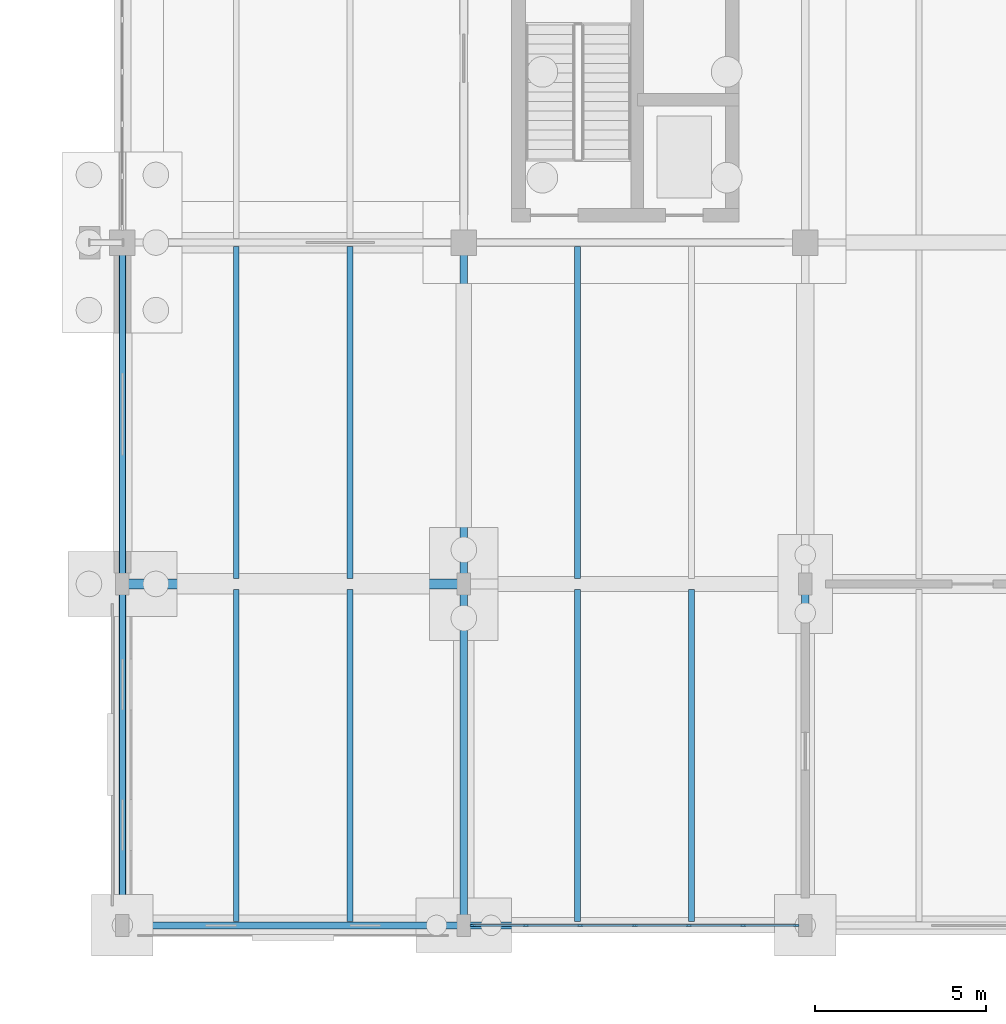
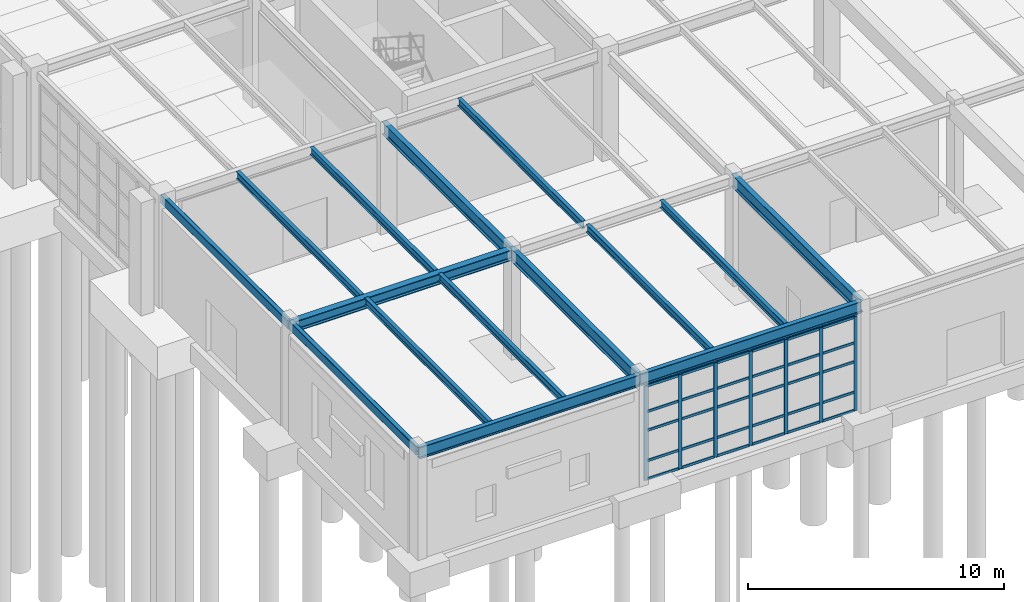
# One storey, part 31 of 145: 37 members, 15 beams, 1 element without a shape of its own.
"""IFC4 building model written with IfcOpenShell, lengths in metres."""

from ifc_helpers import new_model, si_unit, direction, frame, origin, origin_2d, place, context, subcontext, project, spatial, rectangle, hollow_rectangle, i_section, extrude, material, layer, layer_set, material_profile, profile_set, type_object, element, aggregate, save


model = new_model("IFC4")

# Units and contexts
model_context = context("Model", 3, precision=1e-05, world=origin(), true_north=direction((0.0, 1.0)))
body_context = subcontext(model_context, "Body", "Model", "MODEL_VIEW")
ifc_project = project(units=[si_unit("LENGTHUNIT", "METRE"), si_unit("AREAUNIT", "SQUARE_METRE"), si_unit("VOLUMEUNIT", "CUBIC_METRE"), si_unit("PLANEANGLEUNIT", "RADIAN"), si_unit("MASSUNIT", "GRAM", prefix="KILO"), si_unit("THERMODYNAMICTEMPERATUREUNIT", "KELVIN"), si_unit("POWERUNIT", "WATT")], contexts=[model_context])

# Site, building, storey
site_placement = place(None, origin())
site = spatial("IfcSite", under=ifc_project, at=site_placement, CompositionType="ELEMENT")
building_placement = place(site_placement, origin())
building = spatial("IfcBuilding", under=site, at=building_placement, Name="Korenveer Ferry Terminal", CompositionType="ELEMENT")
storey_placement = place(building_placement, origin())
storey = spatial("IfcBuildingStorey", under=building, at=storey_placement, Name="L00", CompositionType="ELEMENT", Elevation=0.0)

# Curtain wall, members
ifc_material_1 = material(Name="Unitised bronze-and-glass curtain wall", Category="glass")
ifc_layer = layer(ifc_material_1, 0.159912109375)
ifc_layer_set = layer_set([ifc_layer], Name="Unitised bronze-and-glass curtain wall")
curtain_wall_type = type_object("IfcCurtainWallType", Name="ENV-CW-01", PredefinedType="USERDEFINED", material=ifc_layer_set)
curtain_wall_placement = place(storey_placement, frame((10.22998046875, 0.0, 0.0)))
curtain_wall = element("IfcCurtainWall", 1, at=curtain_wall_placement, inside=storey, type_object=curtain_wall_type, Name="Lancet curtain wall CWX-L00-X10-20-Y0-0", ObjectType="UNITISED CURTAIN WALL", PredefinedType="USERDEFINED")
ifc_material_2 = material(Name="Anodised bronze aluminium", Category="aluminium")
ifc_material_profile_1 = material_profile(ifc_material_2, rectangle(XDim=0.06005859375, YDim=0.159912109375, at=origin_2d()), Name="ALU 60x160")
ifc_profile_set_1 = profile_set([ifc_material_profile_1], Name="Anodised bronze aluminium")
member_type_1 = type_object("IfcMemberType", Name="ENV-CWM-60X160", PredefinedType="MULLION", material=ifc_profile_set_1)
member_1_placement = place(storey_placement, frame((10.260009765625, 0.0, 0.0), z_axis=(0.0, 0.0, 1.0), x_axis=(0.0, 1.0, 0.0)))
member_1 = element("IfcMember", 2, at=member_1_placement, type_object=member_type_1, Name="CW-01 mullion 1", PredefinedType="MULLION", context=body_context, shape_type="SweptSolid", body=[
    extrude(rectangle(XDim=0.06005859375, YDim=0.159912109375, at=origin_2d()), origin(), (0.0, 0.0, 1.0), 4.5),
])
member_2_placement = place(storey_placement, frame((11.820068359375, 0.0, 0.0), z_axis=(0.0, 0.0, 1.0), x_axis=(0.0, 1.0, 0.0)))
member_2 = element("IfcMember", 3, at=member_2_placement, type_object=member_type_1, Name="CW-01 mullion 2", PredefinedType="MULLION", context=body_context, shape_type="SweptSolid", body=[
    extrude(rectangle(XDim=0.06005859375, YDim=0.159912109375, at=origin_2d()), origin(), (0.0, 0.0, 1.0), 4.5),
])
member_3_placement = place(storey_placement, frame((13.409912109375, 0.0, 0.0), z_axis=(0.0, 0.0, 1.0), x_axis=(0.0, 1.0, 0.0)))
member_3 = element("IfcMember", 4, at=member_3_placement, type_object=member_type_1, Name="CW-01 mullion 3", PredefinedType="MULLION", context=body_context, shape_type="SweptSolid", body=[
    extrude(rectangle(XDim=0.06005859375, YDim=0.159912109375, at=origin_2d()), origin(), (0.0, 0.0, 1.0), 4.5),
])
member_4_placement = place(storey_placement, frame((15.0, 0.0, 0.0), z_axis=(0.0, 0.0, 1.0), x_axis=(0.0, 1.0, 0.0)))
member_4 = element("IfcMember", 5, at=member_4_placement, type_object=member_type_1, Name="CW-01 mullion 4", PredefinedType="MULLION", context=body_context, shape_type="SweptSolid", body=[
    extrude(rectangle(XDim=0.06005859375, YDim=0.159912109375, at=origin_2d()), origin(), (0.0, 0.0, 1.0), 4.5),
])
member_5_placement = place(storey_placement, frame((16.590087890625, 0.0, 0.0), z_axis=(0.0, 0.0, 1.0), x_axis=(0.0, 1.0, 0.0)))
member_5 = element("IfcMember", 6, at=member_5_placement, type_object=member_type_1, Name="CW-01 mullion 5", PredefinedType="MULLION", context=body_context, shape_type="SweptSolid", body=[
    extrude(rectangle(XDim=0.06005859375, YDim=0.159912109375, at=origin_2d()), origin(), (0.0, 0.0, 1.0), 4.5),
])
member_6_placement = place(storey_placement, frame((18.179931640625, 0.0, 0.0), z_axis=(0.0, 0.0, 1.0), x_axis=(0.0, 1.0, 0.0)))
member_6 = element("IfcMember", 7, at=member_6_placement, type_object=member_type_1, Name="CW-01 mullion 6", PredefinedType="MULLION", context=body_context, shape_type="SweptSolid", body=[
    extrude(rectangle(XDim=0.06005859375, YDim=0.159912109375, at=origin_2d()), origin(), (0.0, 0.0, 1.0), 4.5),
])
member_7_placement = place(storey_placement, frame((19.739990234375, 0.0, 0.0), z_axis=(0.0, 0.0, 1.0), x_axis=(0.0, 1.0, 0.0)))
member_7 = element("IfcMember", 8, at=member_7_placement, type_object=member_type_1, Name="CW-01 mullion 7", PredefinedType="MULLION", context=body_context, shape_type="SweptSolid", body=[
    extrude(rectangle(XDim=0.06005859375, YDim=0.159912109375, at=origin_2d()), origin(), (0.0, 0.0, 1.0), 4.5),
])
ifc_material_profile_2 = material_profile(ifc_material_2, rectangle(XDim=0.06005859375, YDim=0.1201171875, at=origin_2d()), Name="ALU 60x120")
ifc_profile_set_2 = profile_set([ifc_material_profile_2], Name="Anodised bronze aluminium")
member_type_2 = type_object("IfcMemberType", Name="ENV-CWT-60X120", PredefinedType="USERDEFINED", material=ifc_profile_set_2)
member_8_placement = place(storey_placement, frame((10.2900390625, 0.0, 0.030029296875), z_axis=(1.0, 0.0, 0.0), x_axis=(0.0, 1.0, 0.0)))
member_8 = element("IfcMember", 9, at=member_8_placement, type_object=member_type_2, Name="CW-01 transom 1.1", ObjectType="TRANSOM", PredefinedType="USERDEFINED", context=body_context, shape_type="SweptSolid", body=[
    extrude(rectangle(XDim=0.06005859375, YDim=0.1201171875, at=origin_2d()), origin(), (0.0, 0.0, 1.0), 1.5),
])
member_9_placement = place(storey_placement, frame((10.2900390625, 0.0, 0.89990234375), z_axis=(1.0, 0.0, 0.0), x_axis=(0.0, 1.0, 0.0)))
member_9 = element("IfcMember", 10, at=member_9_placement, type_object=member_type_2, Name="CW-01 transom 1.2", ObjectType="TRANSOM", PredefinedType="USERDEFINED", context=body_context, shape_type="SweptSolid", body=[
    extrude(rectangle(XDim=0.06005859375, YDim=0.1201171875, at=origin_2d()), origin(), (0.0, 0.0, 1.0), 1.5),
])
member_10_placement = place(storey_placement, frame((10.2900390625, 0.0, 2.35009765625), z_axis=(1.0, 0.0, 0.0), x_axis=(0.0, 1.0, 0.0)))
member_10 = element("IfcMember", 11, at=member_10_placement, type_object=member_type_2, Name="CW-01 transom 1.3", ObjectType="TRANSOM", PredefinedType="USERDEFINED", context=body_context, shape_type="SweptSolid", body=[
    extrude(rectangle(XDim=0.06005859375, YDim=0.1201171875, at=origin_2d()), origin(), (0.0, 0.0, 1.0), 1.5),
])
member_11_placement = place(storey_placement, frame((10.2900390625, 0.0, 3.25), z_axis=(1.0, 0.0, 0.0), x_axis=(0.0, 1.0, 0.0)))
member_11 = element("IfcMember", 12, at=member_11_placement, type_object=member_type_2, Name="CW-01 transom 1.4", ObjectType="TRANSOM", PredefinedType="USERDEFINED", context=body_context, shape_type="SweptSolid", body=[
    extrude(rectangle(XDim=0.06005859375, YDim=0.1201171875, at=origin_2d()), origin(), (0.0, 0.0, 1.0), 1.5),
])
member_12_placement = place(storey_placement, frame((10.2900390625, 0.0, 4.469970703125), z_axis=(1.0, 0.0, 0.0), x_axis=(0.0, 1.0, 0.0)))
member_12 = element("IfcMember", 13, at=member_12_placement, type_object=member_type_2, Name="CW-01 transom 1.5", ObjectType="TRANSOM", PredefinedType="USERDEFINED", context=body_context, shape_type="SweptSolid", body=[
    extrude(rectangle(XDim=0.06005859375, YDim=0.1201171875, at=origin_2d()), origin(), (0.0, 0.0, 1.0), 1.5),
])
member_13_placement = place(storey_placement, frame((11.85009765625, 0.0, 0.030029296875), z_axis=(1.0, 0.0, 0.0), x_axis=(0.0, 1.0, 0.0)))
member_13 = element("IfcMember", 14, at=member_13_placement, type_object=member_type_2, Name="CW-01 transom 2.1", ObjectType="TRANSOM", PredefinedType="USERDEFINED", context=body_context, shape_type="SweptSolid", body=[
    extrude(rectangle(XDim=0.06005859375, YDim=0.1201171875, at=origin_2d()), origin(), (0.0, 0.0, 1.0), 1.52978515625),
])
member_14_placement = place(storey_placement, frame((11.85009765625, 0.0, 0.89990234375), z_axis=(1.0, 0.0, 0.0), x_axis=(0.0, 1.0, 0.0)))
member_14 = element("IfcMember", 15, at=member_14_placement, type_object=member_type_2, Name="CW-01 transom 2.2", ObjectType="TRANSOM", PredefinedType="USERDEFINED", context=body_context, shape_type="SweptSolid", body=[
    extrude(rectangle(XDim=0.06005859375, YDim=0.1201171875, at=origin_2d()), origin(), (0.0, 0.0, 1.0), 1.52978515625),
])
member_15_placement = place(storey_placement, frame((11.85009765625, 0.0, 2.35009765625), z_axis=(1.0, 0.0, 0.0), x_axis=(0.0, 1.0, 0.0)))
member_15 = element("IfcMember", 16, at=member_15_placement, type_object=member_type_2, Name="CW-01 transom 2.3", ObjectType="TRANSOM", PredefinedType="USERDEFINED", context=body_context, shape_type="SweptSolid", body=[
    extrude(rectangle(XDim=0.06005859375, YDim=0.1201171875, at=origin_2d()), origin(), (0.0, 0.0, 1.0), 1.52978515625),
])
member_16_placement = place(storey_placement, frame((11.85009765625, 0.0, 3.25), z_axis=(1.0, 0.0, 0.0), x_axis=(0.0, 1.0, 0.0)))
member_16 = element("IfcMember", 17, at=member_16_placement, type_object=member_type_2, Name="CW-01 transom 2.4", ObjectType="TRANSOM", PredefinedType="USERDEFINED", context=body_context, shape_type="SweptSolid", body=[
    extrude(rectangle(XDim=0.06005859375, YDim=0.1201171875, at=origin_2d()), origin(), (0.0, 0.0, 1.0), 1.52978515625),
])
member_17_placement = place(storey_placement, frame((11.85009765625, 0.0, 4.469970703125), z_axis=(1.0, 0.0, 0.0), x_axis=(0.0, 1.0, 0.0)))
member_17 = element("IfcMember", 18, at=member_17_placement, type_object=member_type_2, Name="CW-01 transom 2.5", ObjectType="TRANSOM", PredefinedType="USERDEFINED", context=body_context, shape_type="SweptSolid", body=[
    extrude(rectangle(XDim=0.06005859375, YDim=0.1201171875, at=origin_2d()), origin(), (0.0, 0.0, 1.0), 1.52978515625),
])
member_18_placement = place(storey_placement, frame((13.43994140625, 0.0, 0.030029296875), z_axis=(1.0, 0.0, 0.0), x_axis=(0.0, 1.0, 0.0)))
member_18 = element("IfcMember", 19, at=member_18_placement, type_object=member_type_2, Name="CW-01 transom 3.1", ObjectType="TRANSOM", PredefinedType="USERDEFINED", context=body_context, shape_type="SweptSolid", body=[
    extrude(rectangle(XDim=0.06005859375, YDim=0.1201171875, at=origin_2d()), origin(), (0.0, 0.0, 1.0), 1.530029296875),
])
member_19_placement = place(storey_placement, frame((13.43994140625, 0.0, 0.89990234375), z_axis=(1.0, 0.0, 0.0), x_axis=(0.0, 1.0, 0.0)))
member_19 = element("IfcMember", 20, at=member_19_placement, type_object=member_type_2, Name="CW-01 transom 3.2", ObjectType="TRANSOM", PredefinedType="USERDEFINED", context=body_context, shape_type="SweptSolid", body=[
    extrude(rectangle(XDim=0.06005859375, YDim=0.1201171875, at=origin_2d()), origin(), (0.0, 0.0, 1.0), 1.530029296875),
])
member_20_placement = place(storey_placement, frame((13.43994140625, 0.0, 2.35009765625), z_axis=(1.0, 0.0, 0.0), x_axis=(0.0, 1.0, 0.0)))
member_20 = element("IfcMember", 21, at=member_20_placement, type_object=member_type_2, Name="CW-01 transom 3.3", ObjectType="TRANSOM", PredefinedType="USERDEFINED", context=body_context, shape_type="SweptSolid", body=[
    extrude(rectangle(XDim=0.06005859375, YDim=0.1201171875, at=origin_2d()), origin(), (0.0, 0.0, 1.0), 1.530029296875),
])
member_21_placement = place(storey_placement, frame((13.43994140625, 0.0, 3.25), z_axis=(1.0, 0.0, 0.0), x_axis=(0.0, 1.0, 0.0)))
member_21 = element("IfcMember", 22, at=member_21_placement, type_object=member_type_2, Name="CW-01 transom 3.4", ObjectType="TRANSOM", PredefinedType="USERDEFINED", context=body_context, shape_type="SweptSolid", body=[
    extrude(rectangle(XDim=0.06005859375, YDim=0.1201171875, at=origin_2d()), origin(), (0.0, 0.0, 1.0), 1.530029296875),
])
member_22_placement = place(storey_placement, frame((13.43994140625, 0.0, 4.469970703125), z_axis=(1.0, 0.0, 0.0), x_axis=(0.0, 1.0, 0.0)))
member_22 = element("IfcMember", 23, at=member_22_placement, type_object=member_type_2, Name="CW-01 transom 3.5", ObjectType="TRANSOM", PredefinedType="USERDEFINED", context=body_context, shape_type="SweptSolid", body=[
    extrude(rectangle(XDim=0.06005859375, YDim=0.1201171875, at=origin_2d()), origin(), (0.0, 0.0, 1.0), 1.530029296875),
])
member_23_placement = place(storey_placement, frame((15.030029296875, 0.0, 0.030029296875), z_axis=(1.0, 0.0, 0.0), x_axis=(0.0, 1.0, 0.0)))
member_23 = element("IfcMember", 24, at=member_23_placement, type_object=member_type_2, Name="CW-01 transom 4.1", ObjectType="TRANSOM", PredefinedType="USERDEFINED", context=body_context, shape_type="SweptSolid", body=[
    extrude(rectangle(XDim=0.06005859375, YDim=0.1201171875, at=origin_2d()), origin(), (0.0, 0.0, 1.0), 1.530029296875),
])
member_24_placement = place(storey_placement, frame((15.030029296875, 0.0, 0.89990234375), z_axis=(1.0, 0.0, 0.0), x_axis=(0.0, 1.0, 0.0)))
member_24 = element("IfcMember", 25, at=member_24_placement, type_object=member_type_2, Name="CW-01 transom 4.2", ObjectType="TRANSOM", PredefinedType="USERDEFINED", context=body_context, shape_type="SweptSolid", body=[
    extrude(rectangle(XDim=0.06005859375, YDim=0.1201171875, at=origin_2d()), origin(), (0.0, 0.0, 1.0), 1.530029296875),
])
member_25_placement = place(storey_placement, frame((15.030029296875, 0.0, 2.35009765625), z_axis=(1.0, 0.0, 0.0), x_axis=(0.0, 1.0, 0.0)))
member_25 = element("IfcMember", 26, at=member_25_placement, type_object=member_type_2, Name="CW-01 transom 4.3", ObjectType="TRANSOM", PredefinedType="USERDEFINED", context=body_context, shape_type="SweptSolid", body=[
    extrude(rectangle(XDim=0.06005859375, YDim=0.1201171875, at=origin_2d()), origin(), (0.0, 0.0, 1.0), 1.530029296875),
])
member_26_placement = place(storey_placement, frame((15.030029296875, 0.0, 3.25), z_axis=(1.0, 0.0, 0.0), x_axis=(0.0, 1.0, 0.0)))
member_26 = element("IfcMember", 27, at=member_26_placement, type_object=member_type_2, Name="CW-01 transom 4.4", ObjectType="TRANSOM", PredefinedType="USERDEFINED", context=body_context, shape_type="SweptSolid", body=[
    extrude(rectangle(XDim=0.06005859375, YDim=0.1201171875, at=origin_2d()), origin(), (0.0, 0.0, 1.0), 1.530029296875),
])
member_27_placement = place(storey_placement, frame((15.030029296875, 0.0, 4.469970703125), z_axis=(1.0, 0.0, 0.0), x_axis=(0.0, 1.0, 0.0)))
member_27 = element("IfcMember", 28, at=member_27_placement, type_object=member_type_2, Name="CW-01 transom 4.5", ObjectType="TRANSOM", PredefinedType="USERDEFINED", context=body_context, shape_type="SweptSolid", body=[
    extrude(rectangle(XDim=0.06005859375, YDim=0.1201171875, at=origin_2d()), origin(), (0.0, 0.0, 1.0), 1.530029296875),
])
member_28_placement = place(storey_placement, frame((16.6201171875, 0.0, 0.030029296875), z_axis=(1.0, 0.0, 0.0), x_axis=(0.0, 1.0, 0.0)))
member_28 = element("IfcMember", 29, at=member_28_placement, type_object=member_type_2, Name="CW-01 transom 5.1", ObjectType="TRANSOM", PredefinedType="USERDEFINED", context=body_context, shape_type="SweptSolid", body=[
    extrude(rectangle(XDim=0.06005859375, YDim=0.1201171875, at=origin_2d()), origin(), (0.0, 0.0, 1.0), 1.52978515625),
])
member_29_placement = place(storey_placement, frame((16.6201171875, 0.0, 0.89990234375), z_axis=(1.0, 0.0, 0.0), x_axis=(0.0, 1.0, 0.0)))
member_29 = element("IfcMember", 30, at=member_29_placement, type_object=member_type_2, Name="CW-01 transom 5.2", ObjectType="TRANSOM", PredefinedType="USERDEFINED", context=body_context, shape_type="SweptSolid", body=[
    extrude(rectangle(XDim=0.06005859375, YDim=0.1201171875, at=origin_2d()), origin(), (0.0, 0.0, 1.0), 1.52978515625),
])
member_30_placement = place(storey_placement, frame((16.6201171875, 0.0, 2.35009765625), z_axis=(1.0, 0.0, 0.0), x_axis=(0.0, 1.0, 0.0)))
member_30 = element("IfcMember", 31, at=member_30_placement, type_object=member_type_2, Name="CW-01 transom 5.3", ObjectType="TRANSOM", PredefinedType="USERDEFINED", context=body_context, shape_type="SweptSolid", body=[
    extrude(rectangle(XDim=0.06005859375, YDim=0.1201171875, at=origin_2d()), origin(), (0.0, 0.0, 1.0), 1.52978515625),
])
member_31_placement = place(storey_placement, frame((16.6201171875, 0.0, 3.25), z_axis=(1.0, 0.0, 0.0), x_axis=(0.0, 1.0, 0.0)))
member_31 = element("IfcMember", 32, at=member_31_placement, type_object=member_type_2, Name="CW-01 transom 5.4", ObjectType="TRANSOM", PredefinedType="USERDEFINED", context=body_context, shape_type="SweptSolid", body=[
    extrude(rectangle(XDim=0.06005859375, YDim=0.1201171875, at=origin_2d()), origin(), (0.0, 0.0, 1.0), 1.52978515625),
])
member_32_placement = place(storey_placement, frame((16.6201171875, 0.0, 4.469970703125), z_axis=(1.0, 0.0, 0.0), x_axis=(0.0, 1.0, 0.0)))
member_32 = element("IfcMember", 33, at=member_32_placement, type_object=member_type_2, Name="CW-01 transom 5.5", ObjectType="TRANSOM", PredefinedType="USERDEFINED", context=body_context, shape_type="SweptSolid", body=[
    extrude(rectangle(XDim=0.06005859375, YDim=0.1201171875, at=origin_2d()), origin(), (0.0, 0.0, 1.0), 1.52978515625),
])
member_33_placement = place(storey_placement, frame((18.2099609375, 0.0, 0.030029296875), z_axis=(1.0, 0.0, 0.0), x_axis=(0.0, 1.0, 0.0)))
member_33 = element("IfcMember", 34, at=member_33_placement, type_object=member_type_2, Name="CW-01 transom 6.1", ObjectType="TRANSOM", PredefinedType="USERDEFINED", context=body_context, shape_type="SweptSolid", body=[
    extrude(rectangle(XDim=0.06005859375, YDim=0.1201171875, at=origin_2d()), origin(), (0.0, 0.0, 1.0), 1.5),
])
member_34_placement = place(storey_placement, frame((18.2099609375, 0.0, 0.89990234375), z_axis=(1.0, 0.0, 0.0), x_axis=(0.0, 1.0, 0.0)))
member_34 = element("IfcMember", 35, at=member_34_placement, type_object=member_type_2, Name="CW-01 transom 6.2", ObjectType="TRANSOM", PredefinedType="USERDEFINED", context=body_context, shape_type="SweptSolid", body=[
    extrude(rectangle(XDim=0.06005859375, YDim=0.1201171875, at=origin_2d()), origin(), (0.0, 0.0, 1.0), 1.5),
])
member_35_placement = place(storey_placement, frame((18.2099609375, 0.0, 2.35009765625), z_axis=(1.0, 0.0, 0.0), x_axis=(0.0, 1.0, 0.0)))
member_35 = element("IfcMember", 36, at=member_35_placement, type_object=member_type_2, Name="CW-01 transom 6.3", ObjectType="TRANSOM", PredefinedType="USERDEFINED", context=body_context, shape_type="SweptSolid", body=[
    extrude(rectangle(XDim=0.06005859375, YDim=0.1201171875, at=origin_2d()), origin(), (0.0, 0.0, 1.0), 1.5),
])
member_36_placement = place(storey_placement, frame((18.2099609375, 0.0, 3.25), z_axis=(1.0, 0.0, 0.0), x_axis=(0.0, 1.0, 0.0)))
member_36 = element("IfcMember", 37, at=member_36_placement, type_object=member_type_2, Name="CW-01 transom 6.4", ObjectType="TRANSOM", PredefinedType="USERDEFINED", context=body_context, shape_type="SweptSolid", body=[
    extrude(rectangle(XDim=0.06005859375, YDim=0.1201171875, at=origin_2d()), origin(), (0.0, 0.0, 1.0), 1.5),
])
member_37_placement = place(storey_placement, frame((18.2099609375, 0.0, 4.469970703125), z_axis=(1.0, 0.0, 0.0), x_axis=(0.0, 1.0, 0.0)))
member_37 = element("IfcMember", 38, at=member_37_placement, type_object=member_type_2, Name="CW-01 transom 6.5", ObjectType="TRANSOM", PredefinedType="USERDEFINED", context=body_context, shape_type="SweptSolid", body=[
    extrude(rectangle(XDim=0.06005859375, YDim=0.1201171875, at=origin_2d()), origin(), (0.0, 0.0, 1.0), 1.5),
])
aggregate(curtain_wall, [member_1, member_2, member_3, member_4, member_5, member_6, member_7, member_8, member_9, member_10, member_11, member_12, member_13, member_14, member_15, member_16, member_17, member_18, member_19, member_20, member_21, member_22, member_23, member_24, member_25, member_26, member_27, member_28, member_29, member_30, member_31, member_32, member_33, member_34, member_35, member_36, member_37])

# Beams
ifc_material_3 = material(Name="Steel S355", Category="steel")
ifc_material_profile_3 = material_profile(ifc_material_3, i_section(OverallWidth=0.300048828125, OverallDepth=0.5, WebThickness=0.014404296875, FlangeThickness=0.028076171875, FilletRadius=0.027099609375, at=origin_2d()), Name="HEB 500")
ifc_profile_set_3 = profile_set([ifc_material_profile_3], Name="Steel S355")
beam_type_1 = type_object("IfcBeamType", Name="STR-BM-HEB500", PredefinedType="BEAM", material=ifc_profile_set_3)
beam_placement = place(storey_placement, frame((0.02001953125, 10.0, 4.8701171875), z_axis=(1.0, 0.0, 0.0), x_axis=(0.0, 1.0, 0.0)))
element("IfcBeam", 39, at=beam_placement, inside=storey, type_object=beam_type_1, Name="Primary X girder BMX-L01-X0-10-Y10", PredefinedType="BEAM", context=body_context, shape_type="SweptSolid", body=[
    extrude(i_section(OverallWidth=0.300048828125, OverallDepth=0.5, WebThickness=0.014404296875, FlangeThickness=0.028076171875, FilletRadius=0.027099609375, at=origin_2d()), origin(), (0.0, 0.0, 1.0), 9.9599609375),
])
ifc_material_profile_4 = material_profile(ifc_material_3, i_section(OverallWidth=0.2099609375, OverallDepth=0.550048828125, WebThickness=0.010986328125, FlangeThickness=0.01708984375, FilletRadius=0.02392578125, at=origin_2d()), Name="IPE 550")
ifc_profile_set_4 = profile_set([ifc_material_profile_4], Name="Steel S355")
beam_type_2 = type_object("IfcBeamType", Name="STR-BM-IPE550", PredefinedType="BEAM", material=ifc_profile_set_4)
for number, where, z_axis, x_axis, name in (
    (40, (0.02001953125, 0.0, 4.905029296875), (1.0, 0.0, 0.0), (0.0, 1.0, 0.0), "Primary X girder BMX-L01-X0-10-Y0"),
    (41, (10.02001953125, 0.0, 4.905029296875), (1.0, 0.0, 0.0), (0.0, 1.0, 0.0), "Primary X girder BMX-L01-X10-20-Y0"),
):
    element("IfcBeam", number, at=place(storey_placement, frame(where, z_axis=z_axis, x_axis=x_axis)), inside=storey, type_object=beam_type_2, Name=name, PredefinedType="BEAM", context=body_context, shape_type="SweptSolid", body=[
        extrude(i_section(OverallWidth=0.2099609375, OverallDepth=0.550048828125, WebThickness=0.010986328125, FlangeThickness=0.01708984375, FilletRadius=0.02392578125, at=origin_2d()), origin(), (0.0, 0.0, 1.0), 9.9599609375),
    ])
ifc_material_profile_5 = material_profile(ifc_material_3, i_section(OverallWidth=0.219970703125, OverallDepth=0.60009765625, WebThickness=0.011962890625, FlangeThickness=0.01904296875, FilletRadius=0.02392578125, at=origin_2d()), Name="IPE 600")
ifc_profile_set_5 = profile_set([ifc_material_profile_5], Name="Steel S355")
beam_type_3 = type_object("IfcBeamType", Name="STR-BM-IPE600", PredefinedType="BEAM", material=ifc_profile_set_5)
for number, where, z_axis, x_axis, name in (
    (42, (10.0, 0.02001953125, 4.8798828125), (0.0, 1.0, 0.0), (-1.0, 0.0, 0.0), "Primary Y girder BMY-L01-X10-Y0-10"),
    (43, (10.0, 10.02001953125, 4.820068359375), (0.0, 1.0, 0.0), (-1.0, 0.0, 0.0), "Primary Y girder BMY-L01-X10-Y10-20"),
    (44, (20.0, 0.02001953125, 4.8798828125), (0.0, 1.0, 0.0), (-1.0, 0.0, 0.0), "Primary Y girder BMY-L01-X20-Y0-10"),
):
    element("IfcBeam", number, at=place(storey_placement, frame(where, z_axis=z_axis, x_axis=x_axis)), inside=storey, type_object=beam_type_3, Name=name, PredefinedType="BEAM", context=body_context, shape_type="SweptSolid", body=[
        extrude(i_section(OverallWidth=0.219970703125, OverallDepth=0.60009765625, WebThickness=0.011962890625, FlangeThickness=0.01904296875, FilletRadius=0.02392578125, at=origin_2d()), origin(), (0.0, 0.0, 1.0), 9.9599609375),
    ])
ifc_material_profile_6 = material_profile(ifc_material_3, i_section(OverallWidth=0.169921875, OverallDepth=0.360107421875, WebThickness=0.008056640625, FlangeThickness=0.0126953125, FilletRadius=0.01806640625, at=origin_2d()), Name="IPE 360")
ifc_profile_set_6 = profile_set([ifc_material_profile_6], Name="Steel S355")
beam_type_4 = type_object("IfcBeamType", Name="STR-JST-IPE360", PredefinedType="JOIST", material=ifc_profile_set_6)
for number, where, z_axis, x_axis, name in (
    (45, (3.333251953125, 0.114990234375, 5.0), (0.0, 1.0, 0.0), (-1.0, 0.0, 0.0), "Secondary composite joist JST-L01-X33-Y0-10"),
    (46, (6.666748046875, 0.114990234375, 5.0), (0.0, 1.0, 0.0), (-1.0, 0.0, 0.0), "Secondary composite joist JST-L01-X67-Y0-10"),
    (47, (3.333251953125, 10.159912109375, 4.93994140625), (0.0, 1.0, 0.0), (-1.0, 0.0, 0.0), "Secondary composite joist JST-L01-X33-Y10-20"),
    (48, (6.666748046875, 10.159912109375, 4.93994140625), (0.0, 1.0, 0.0), (-1.0, 0.0, 0.0), "Secondary composite joist JST-L01-X67-Y10-20"),
    (49, (13.333251953125, 0.114990234375, 5.0), (0.0, 1.0, 0.0), (-1.0, 0.0, 0.0), "Secondary composite joist JST-L01-X133-Y0-10"),
    (50, (16.666748046875, 0.114990234375, 5.0), (0.0, 1.0, 0.0), (-1.0, 0.0, 0.0), "Secondary composite joist JST-L01-X167-Y0-10"),
    (51, (13.333251953125, 10.159912109375, 4.93994140625), (0.0, 1.0, 0.0), (-1.0, 0.0, 0.0), "Secondary composite joist JST-L01-X133-Y10-20"),
):
    element("IfcBeam", number, at=place(storey_placement, frame(where, z_axis=z_axis, x_axis=x_axis)), inside=storey, type_object=beam_type_4, Name=name, PredefinedType="JOIST", context=body_context, shape_type="SweptSolid", body=[
        extrude(i_section(OverallWidth=0.169921875, OverallDepth=0.360107421875, WebThickness=0.008056640625, FlangeThickness=0.0126953125, FilletRadius=0.01806640625, at=origin_2d()), origin(), (0.0, 0.0, 1.0), 9.72509765625),
    ])
ifc_material_profile_7 = material_profile(ifc_material_3, hollow_rectangle(XDim=0.199951171875, YDim=0.39990234375, WallThickness=0.01611328125, InnerFilletRadius=0.01611328125, OuterFilletRadius=0.02392578125, at=origin_2d()), Name="RHS 400x200x16")
ifc_profile_set_7 = profile_set([ifc_material_profile_7], Name="Steel S355")
beam_type_5 = type_object("IfcBeamType", Name="STR-SPD-RHS400", PredefinedType="SPANDREL", material=ifc_profile_set_7)
for number, where, z_axis, x_axis, name in (
    (52, (0.0, 0.02001953125, 4.97998046875), (0.0, 1.0, 0.0), (-1.0, 0.0, 0.0), "Primary Y girder BMY-L01-X0-Y0-10"),
    (53, (0.0, 10.02001953125, 4.919921875), (0.0, 1.0, 0.0), (-1.0, 0.0, 0.0), "Primary Y girder BMY-L01-X0-Y10-20"),
):
    element("IfcBeam", number, at=place(storey_placement, frame(where, z_axis=z_axis, x_axis=x_axis)), inside=storey, type_object=beam_type_5, Name=name, PredefinedType="SPANDREL", context=body_context, shape_type="SweptSolid", body=[
        extrude(hollow_rectangle(XDim=0.199951171875, YDim=0.39990234375, WallThickness=0.01611328125, InnerFilletRadius=0.01611328125, OuterFilletRadius=0.02392578125, at=origin_2d()), origin(), (0.0, 0.0, 1.0), 9.9599609375),
    ])

save(model, "model.ifc")
